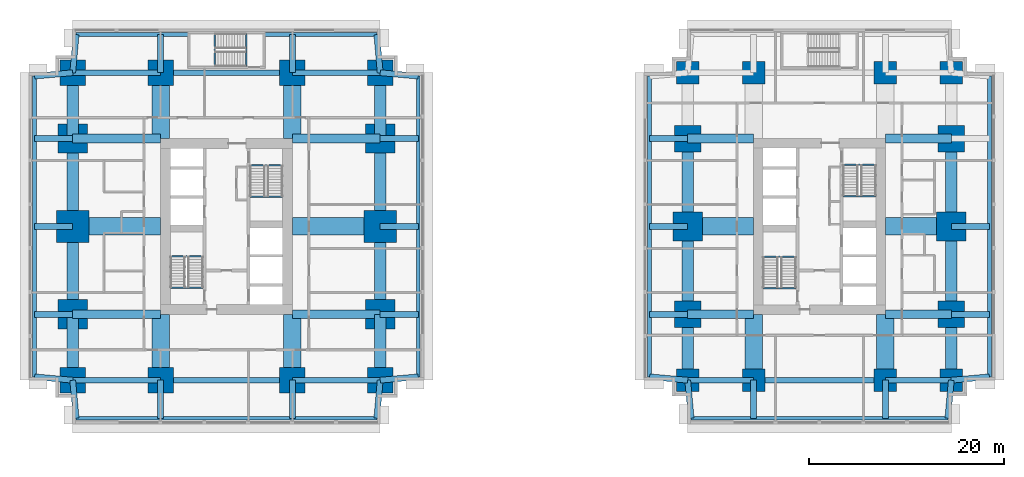
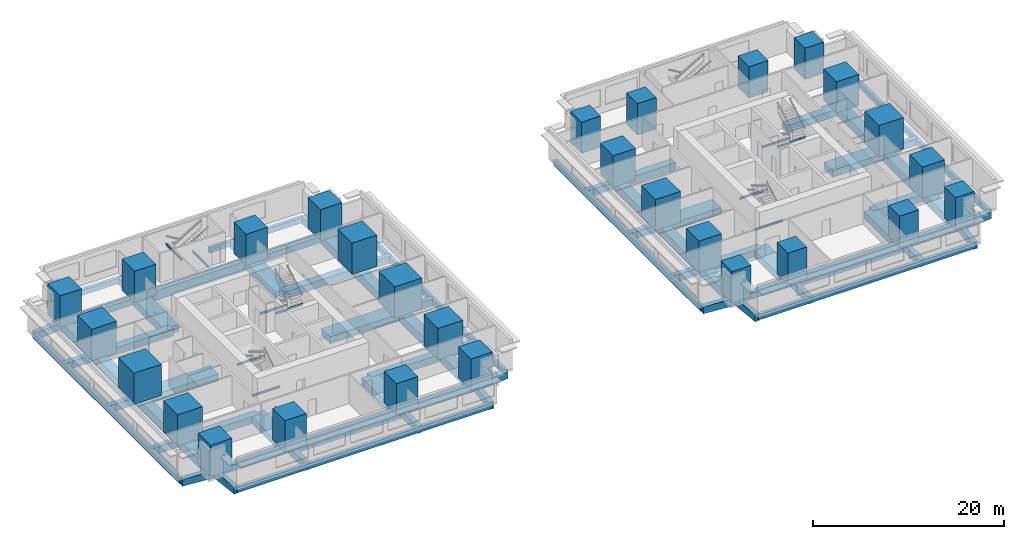
# One storey, part 1 of 11: 88 beams, 28 columns.
"""IFC4 building model written with IfcOpenShell, lengths in metres."""

from ifc_helpers import new_model, si_unit, direction, frame, origin, origin_2d, place, context, subcontext, project, spatial, rectangle, i_section, extrude, material, material_profile, profile_set, type_object, element, save


model = new_model("IFC4")

# Units and contexts
model_context = context("Model", 3, precision=1e-05, world=origin(), true_north=direction((0.0, 1.0)))
body_context = subcontext(model_context, "Body", "Model", "MODEL_VIEW")
ifc_project = project(units=[si_unit("LENGTHUNIT", "METRE"), si_unit("AREAUNIT", "SQUARE_METRE"), si_unit("VOLUMEUNIT", "CUBIC_METRE"), si_unit("PLANEANGLEUNIT", "RADIAN"), si_unit("MASSUNIT", "GRAM", prefix="KILO")], contexts=[model_context])

# Site, building, storey
site_placement = place(None, origin())
site = spatial("IfcSite", under=ifc_project, at=site_placement, CompositionType="ELEMENT")
building_placement = place(site_placement, origin())
building = spatial("IfcBuilding", under=site, at=building_placement, Name="Namib Vertical Campus", CompositionType="ELEMENT")
storey_placement = place(building_placement, frame((0.0, 0.0, 29.0)))
storey = spatial("IfcBuildingStorey", under=building, at=storey_placement, Name="L06", CompositionType="ELEMENT", Elevation=29.0)

# Columns
ifc_material_1 = material(Name="Concrete C60/75", Category="concrete")
ifc_material_profile_1 = material_profile(ifc_material_1, rectangle(XDim=2.300048828125, YDim=2.300048828125, at=origin_2d()))
ifc_profile_set_1 = profile_set([ifc_material_profile_1], Name="Concrete C60/75")
column_type_1 = type_object("IfcColumnType", Name="Column RC 2300x2300", PredefinedType="COLUMN", material=ifc_profile_set_1)
for number, where, z_axis, x_axis, name in (
    (1, (67.5, 4.5, 0.0), (0.0, 0.0, 1.0), (1.0, 0.0, 0.0), "Column C230 L06"),
    (2, (74.25, 4.5, 0.0), (0.0, 0.0, 1.0), (1.0, 0.0, 0.0), "Column C230 L06"),
    (3, (87.75, 4.5, 0.0), (0.0, 0.0, 1.0), (1.0, 0.0, 0.0), "Column C230 L06"),
    (4, (94.5, 4.5, 0.0), (0.0, 0.0, 1.0), (1.0, 0.0, 0.0), "Column C230 L06"),
    (5, (67.5, 36.0, 0.0), (0.0, 0.0, 1.0), (1.0, 0.0, 0.0), "Column C230 L06"),
    (6, (74.25, 36.0, 0.0), (0.0, 0.0, 1.0), (1.0, 0.0, 0.0), "Column C230 L06"),
    (7, (87.75, 36.0, 0.0), (0.0, 0.0, 1.0), (1.0, 0.0, 0.0), "Column C230 L06"),
    (8, (94.5, 36.0, 0.0), (0.0, 0.0, 1.0), (1.0, 0.0, 0.0), "Column C230 L06"),
):
    element("IfcColumn", number, at=place(storey_placement, frame(where, z_axis=z_axis, x_axis=x_axis)), inside=storey, type_object=column_type_1, Name=name, PredefinedType="COLUMN", context=body_context, shape_type="SweptSolid", body=[
        extrude(rectangle(XDim=2.300048828125, YDim=2.300048828125, at=origin_2d()), origin(), (0.0, 0.0, 1.0), 4.0),
    ])
ifc_material_2 = material(Name="Concrete C60/75", Category="concrete")
ifc_material_profile_2 = material_profile(ifc_material_2, rectangle(XDim=2.60009765625, YDim=2.60009765625, at=origin_2d()))
ifc_profile_set_2 = profile_set([ifc_material_profile_2], Name="Concrete C60/75")
column_type_2 = type_object("IfcColumnType", Name="Column RC 2600x2600", PredefinedType="COLUMN", material=ifc_profile_set_2)
for number, where, z_axis, x_axis, name in (
    (9, (4.5, 4.5, 0.0), (0.0, 0.0, 1.0), (1.0, 0.0, 0.0), "Column C260 L06"),
    (10, (13.5, 4.5, 0.0), (0.0, 0.0, 1.0), (1.0, 0.0, 0.0), "Column C260 L06"),
    (11, (27.0, 4.5, 0.0), (0.0, 0.0, 1.0), (1.0, 0.0, 0.0), "Column C260 L06"),
    (12, (36.0, 4.5, 0.0), (0.0, 0.0, 1.0), (1.0, 0.0, 0.0), "Column C260 L06"),
    (13, (4.5, 36.0, 0.0), (0.0, 0.0, 1.0), (1.0, 0.0, 0.0), "Column C260 L06"),
    (14, (13.5, 36.0, 0.0), (0.0, 0.0, 1.0), (1.0, 0.0, 0.0), "Column C260 L06"),
    (15, (27.0, 36.0, 0.0), (0.0, 0.0, 1.0), (1.0, 0.0, 0.0), "Column C260 L06"),
    (16, (36.0, 36.0, 0.0), (0.0, 0.0, 1.0), (1.0, 0.0, 0.0), "Column C260 L06"),
):
    element("IfcColumn", number, at=place(storey_placement, frame(where, z_axis=z_axis, x_axis=x_axis)), inside=storey, type_object=column_type_2, Name=name, PredefinedType="COLUMN", context=body_context, shape_type="SweptSolid", body=[
        extrude(rectangle(XDim=2.60009765625, YDim=2.60009765625, at=origin_2d()), origin(), (0.0, 0.0, 1.0), 4.0),
    ])
ifc_material_3 = material(Name="Concrete C60/75", Category="concrete")
ifc_material_profile_3 = material_profile(ifc_material_3, rectangle(XDim=2.699951171875, YDim=2.699951171875, at=origin_2d()))
ifc_profile_set_3 = profile_set([ifc_material_profile_3], Name="Concrete C60/75")
column_type_3 = type_object("IfcColumnType", Name="Column RC 2700x2700", PredefinedType="COLUMN", material=ifc_profile_set_3)
for number, where, z_axis, x_axis, name in (
    (17, (67.5, 11.25, 0.0), (0.0, 0.0, 1.0), (1.0, 0.0, 0.0), "Column C270 L06"),
    (18, (94.5, 11.25, 0.0), (0.0, 0.0, 1.0), (1.0, 0.0, 0.0), "Column C270 L06"),
    (19, (67.5, 29.25, 0.0), (0.0, 0.0, 1.0), (1.0, 0.0, 0.0), "Column C270 L06"),
    (20, (94.5, 29.25, 0.0), (0.0, 0.0, 1.0), (1.0, 0.0, 0.0), "Column C270 L06"),
):
    element("IfcColumn", number, at=place(storey_placement, frame(where, z_axis=z_axis, x_axis=x_axis)), inside=storey, type_object=column_type_3, Name=name, PredefinedType="COLUMN", context=body_context, shape_type="SweptSolid", body=[
        extrude(rectangle(XDim=2.699951171875, YDim=2.699951171875, at=origin_2d()), origin(), (0.0, 0.0, 1.0), 4.0),
    ])
ifc_material_4 = material(Name="Concrete C60/75", Category="concrete")
ifc_material_profile_4 = material_profile(ifc_material_4, rectangle(XDim=3.0, YDim=3.0, at=origin_2d()))
ifc_profile_set_4 = profile_set([ifc_material_profile_4], Name="Concrete C60/75")
column_type_4 = type_object("IfcColumnType", Name="Column RC 3000x3000", PredefinedType="COLUMN", material=ifc_profile_set_4)
for number, where, z_axis, x_axis, name in (
    (21, (4.5, 11.25, 0.0), (0.0, 0.0, 1.0), (1.0, 0.0, 0.0), "Column C300 L06"),
    (22, (36.0, 11.25, 0.0), (0.0, 0.0, 1.0), (1.0, 0.0, 0.0), "Column C300 L06"),
    (23, (4.5, 29.25, 0.0), (0.0, 0.0, 1.0), (1.0, 0.0, 0.0), "Column C300 L06"),
    (24, (36.0, 29.25, 0.0), (0.0, 0.0, 1.0), (1.0, 0.0, 0.0), "Column C300 L06"),
    (25, (67.5, 20.25, 0.0), (0.0, 0.0, 1.0), (1.0, 0.0, 0.0), "Column C300 L06"),
    (26, (94.5, 20.25, 0.0), (0.0, 0.0, 1.0), (1.0, 0.0, 0.0), "Column C300 L06"),
):
    element("IfcColumn", number, at=place(storey_placement, frame(where, z_axis=z_axis, x_axis=x_axis)), inside=storey, type_object=column_type_4, Name=name, PredefinedType="COLUMN", context=body_context, shape_type="SweptSolid", body=[
        extrude(rectangle(XDim=3.0, YDim=3.0, at=origin_2d()), origin(), (0.0, 0.0, 1.0), 4.0),
    ])
ifc_material_5 = material(Name="Concrete C60/75", Category="concrete")
ifc_material_profile_5 = material_profile(ifc_material_5, rectangle(XDim=3.300048828125, YDim=3.300048828125, at=origin_2d()))
ifc_profile_set_5 = profile_set([ifc_material_profile_5], Name="Concrete C60/75")
column_type_5 = type_object("IfcColumnType", Name="Column RC 3300x3300", PredefinedType="COLUMN", material=ifc_profile_set_5)
for number, where, z_axis, x_axis, name in (
    (27, (4.5, 20.25, 0.0), (0.0, 0.0, 1.0), (1.0, 0.0, 0.0), "Column C330 L06"),
    (28, (36.0, 20.25, 0.0), (0.0, 0.0, 1.0), (1.0, 0.0, 0.0), "Column C330 L06"),
):
    element("IfcColumn", number, at=place(storey_placement, frame(where, z_axis=z_axis, x_axis=x_axis)), inside=storey, type_object=column_type_5, Name=name, PredefinedType="COLUMN", context=body_context, shape_type="SweptSolid", body=[
        extrude(rectangle(XDim=3.300048828125, YDim=3.300048828125, at=origin_2d()), origin(), (0.0, 0.0, 1.0), 4.0),
    ])

# Beams
ifc_material_6 = material(Name="Concrete C40/50", Category="concrete")
ifc_material_profile_6 = material_profile(ifc_material_6, rectangle(XDim=0.60009765625, YDim=0.89990234375, at=origin_2d()))
ifc_profile_set_6 = profile_set([ifc_material_profile_6], Name="Concrete C40/50")
beam_type_1 = type_object("IfcBeamType", Name="Cantilever girder RC 600x900", PredefinedType="BEAM", material=ifc_profile_set_6)
beam_1_placement = place(storey_placement, frame((4.5, 4.5, -0.699951171875), z_axis=(0.089411326146, -0.995994786511, 0.0), x_axis=(0.995994786511, 0.089411326146, 0.0)))
element("IfcBeam", 29, at=beam_1_placement, inside=storey, type_object=beam_type_1, Name="Beam B3 L06", PredefinedType="BEAM", context=body_context, shape_type="SweptSolid", body=[
    extrude(rectangle(XDim=0.60009765625, YDim=0.89990234375, at=origin_2d()), origin(), (0.0, 0.0, 1.0), 3.91552734375),
])
for number, where, z_axis, x_axis, name in (
    (30, (13.5, 4.5, -0.699951171875), (0.0, -1.0, 0.0), (1.0, 0.0, 0.0), "Beam B3 L06"),
    (31, (27.0, 4.5, -0.699951171875), (0.0, -1.0, 0.0), (1.0, 0.0, 0.0), "Beam B3 L06"),
):
    element("IfcBeam", number, at=place(storey_placement, frame(where, z_axis=z_axis, x_axis=x_axis)), inside=storey, type_object=beam_type_1, Name=name, PredefinedType="BEAM", context=body_context, shape_type="SweptSolid", body=[
        extrude(rectangle(XDim=0.60009765625, YDim=0.89990234375, at=origin_2d()), origin(), (0.0, 0.0, 1.0), 3.89990234375),
    ])
for number, where, z_axis, x_axis, name in (
    (32, (36.0, 4.5, -0.699951171875), (-0.089411326146, -0.995994786511, 0.0), (0.995994786511, -0.089411326146, 0.0), "Beam B3 L06"),
    (33, (4.5, 36.0, -0.699951171875), (0.089411326146, 0.995994786511, 0.0), (-0.995994786511, 0.089411326146, 0.0), "Beam B3 L06"),
):
    element("IfcBeam", number, at=place(storey_placement, frame(where, z_axis=z_axis, x_axis=x_axis)), inside=storey, type_object=beam_type_1, Name=name, PredefinedType="BEAM", context=body_context, shape_type="SweptSolid", body=[
        extrude(rectangle(XDim=0.60009765625, YDim=0.89990234375, at=origin_2d()), origin(), (0.0, 0.0, 1.0), 3.91552734375),
    ])
for number, where, z_axis, x_axis, name in (
    (34, (13.5, 36.0, -0.699951171875), (0.0, 1.0, 0.0), (-1.0, 0.0, 0.0), "Beam B3 L06"),
    (35, (27.0, 36.0, -0.699951171875), (0.0, 1.0, 0.0), (-1.0, 0.0, 0.0), "Beam B3 L06"),
):
    element("IfcBeam", number, at=place(storey_placement, frame(where, z_axis=z_axis, x_axis=x_axis)), inside=storey, type_object=beam_type_1, Name=name, PredefinedType="BEAM", context=body_context, shape_type="SweptSolid", body=[
        extrude(rectangle(XDim=0.60009765625, YDim=0.89990234375, at=origin_2d()), origin(), (0.0, 0.0, 1.0), 3.89990234375),
    ])
for number, where, z_axis, x_axis, name in (
    (36, (36.0, 36.0, -0.699951171875), (-0.089411326146, 0.995994786511, 0.0), (-0.995994786511, -0.089411326146, 0.0), "Beam B3 L06"),
    (37, (4.5, 4.5, -0.699951171875), (-0.995994786511, 0.089411326146, 0.0), (-0.089411326146, -0.995994786511, 0.0), "Beam B3 L06"),
):
    element("IfcBeam", number, at=place(storey_placement, frame(where, z_axis=z_axis, x_axis=x_axis)), inside=storey, type_object=beam_type_1, Name=name, PredefinedType="BEAM", context=body_context, shape_type="SweptSolid", body=[
        extrude(rectangle(XDim=0.60009765625, YDim=0.89990234375, at=origin_2d()), origin(), (0.0, 0.0, 1.0), 3.91552734375),
    ])
for number, where, z_axis, x_axis, name in (
    (38, (4.5, 11.25, -0.699951171875), (-1.0, 0.0, 0.0), (0.0, -1.0, 0.0), "Beam B3 L06"),
    (39, (4.5, 20.25, -0.699951171875), (-1.0, 0.0, 0.0), (0.0, -1.0, 0.0), "Beam B3 L06"),
    (40, (4.5, 29.25, -0.699951171875), (-1.0, 0.0, 0.0), (0.0, -1.0, 0.0), "Beam B3 L06"),
):
    element("IfcBeam", number, at=place(storey_placement, frame(where, z_axis=z_axis, x_axis=x_axis)), inside=storey, type_object=beam_type_1, Name=name, PredefinedType="BEAM", context=body_context, shape_type="SweptSolid", body=[
        extrude(rectangle(XDim=0.60009765625, YDim=0.89990234375, at=origin_2d()), origin(), (0.0, 0.0, 1.0), 3.89990234375),
    ])
for number, where, z_axis, x_axis, name in (
    (41, (4.5, 36.0, -0.699951171875), (-0.995994786511, -0.089411326146, 0.0), (0.089411326146, -0.995994786511, 0.0), "Beam B3 L06"),
    (42, (36.0, 4.5, -0.699951171875), (0.995994786511, 0.089411326146, 0.0), (-0.089411326146, 0.995994786511, 0.0), "Beam B3 L06"),
):
    element("IfcBeam", number, at=place(storey_placement, frame(where, z_axis=z_axis, x_axis=x_axis)), inside=storey, type_object=beam_type_1, Name=name, PredefinedType="BEAM", context=body_context, shape_type="SweptSolid", body=[
        extrude(rectangle(XDim=0.60009765625, YDim=0.89990234375, at=origin_2d()), origin(), (0.0, 0.0, 1.0), 3.91552734375),
    ])
for number, where, z_axis, x_axis, name in (
    (43, (36.0, 11.25, -0.699951171875), (1.0, 0.0, 0.0), (0.0, 1.0, 0.0), "Beam B3 L06"),
    (44, (36.0, 20.25, -0.699951171875), (1.0, 0.0, 0.0), (0.0, 1.0, 0.0), "Beam B3 L06"),
    (45, (36.0, 29.25, -0.699951171875), (1.0, 0.0, 0.0), (0.0, 1.0, 0.0), "Beam B3 L06"),
):
    element("IfcBeam", number, at=place(storey_placement, frame(where, z_axis=z_axis, x_axis=x_axis)), inside=storey, type_object=beam_type_1, Name=name, PredefinedType="BEAM", context=body_context, shape_type="SweptSolid", body=[
        extrude(rectangle(XDim=0.60009765625, YDim=0.89990234375, at=origin_2d()), origin(), (0.0, 0.0, 1.0), 3.89990234375),
    ])
for number, where, z_axis, x_axis, name in (
    (46, (36.0, 36.0, -0.699951171875), (0.995994786511, -0.089411326146, 0.0), (0.089411326146, 0.995994786511, 0.0), "Beam B3 L06"),
    (47, (67.5, 4.5, -0.699951171875), (0.089411326146, -0.995994786511, 0.0), (0.995994786511, 0.089411326146, 0.0), "Beam B3 L06"),
):
    element("IfcBeam", number, at=place(storey_placement, frame(where, z_axis=z_axis, x_axis=x_axis)), inside=storey, type_object=beam_type_1, Name=name, PredefinedType="BEAM", context=body_context, shape_type="SweptSolid", body=[
        extrude(rectangle(XDim=0.60009765625, YDim=0.89990234375, at=origin_2d()), origin(), (0.0, 0.0, 1.0), 3.91552734375),
    ])
for number, where, z_axis, x_axis, name in (
    (48, (74.25, 4.5, -0.699951171875), (0.0, -1.0, 0.0), (1.0, 0.0, 0.0), "Beam B3 L06"),
    (49, (87.75, 4.5, -0.699951171875), (0.0, -1.0, 0.0), (1.0, 0.0, 0.0), "Beam B3 L06"),
):
    element("IfcBeam", number, at=place(storey_placement, frame(where, z_axis=z_axis, x_axis=x_axis)), inside=storey, type_object=beam_type_1, Name=name, PredefinedType="BEAM", context=body_context, shape_type="SweptSolid", body=[
        extrude(rectangle(XDim=0.60009765625, YDim=0.89990234375, at=origin_2d()), origin(), (0.0, 0.0, 1.0), 3.89990234375),
    ])
for number, where, z_axis, x_axis, name in (
    (50, (94.5, 4.5, -0.699951171875), (-0.089411326146, -0.995994786511, 0.0), (0.995994786511, -0.089411326146, 0.0), "Beam B3 L06"),
    (51, (67.5, 4.5, -0.699951171875), (-0.995994786511, 0.089411326146, 0.0), (-0.089411326146, -0.995994786511, 0.0), "Beam B3 L06"),
):
    element("IfcBeam", number, at=place(storey_placement, frame(where, z_axis=z_axis, x_axis=x_axis)), inside=storey, type_object=beam_type_1, Name=name, PredefinedType="BEAM", context=body_context, shape_type="SweptSolid", body=[
        extrude(rectangle(XDim=0.60009765625, YDim=0.89990234375, at=origin_2d()), origin(), (0.0, 0.0, 1.0), 3.91552734375),
    ])
for number, where, z_axis, x_axis, name in (
    (52, (67.5, 11.25, -0.699951171875), (-1.0, 0.0, 0.0), (0.0, -1.0, 0.0), "Beam B3 L06"),
    (53, (67.5, 20.25, -0.699951171875), (-1.0, 0.0, 0.0), (0.0, -1.0, 0.0), "Beam B3 L06"),
    (54, (67.5, 29.25, -0.699951171875), (-1.0, 0.0, 0.0), (0.0, -1.0, 0.0), "Beam B3 L06"),
):
    element("IfcBeam", number, at=place(storey_placement, frame(where, z_axis=z_axis, x_axis=x_axis)), inside=storey, type_object=beam_type_1, Name=name, PredefinedType="BEAM", context=body_context, shape_type="SweptSolid", body=[
        extrude(rectangle(XDim=0.60009765625, YDim=0.89990234375, at=origin_2d()), origin(), (0.0, 0.0, 1.0), 3.89990234375),
    ])
beam_2_placement = place(storey_placement, frame((94.5, 4.5, -0.699951171875), z_axis=(0.995994786511, 0.089411326146, 0.0), x_axis=(-0.089411326146, 0.995994786511, 0.0)))
element("IfcBeam", 55, at=beam_2_placement, inside=storey, type_object=beam_type_1, Name="Beam B3 L06", PredefinedType="BEAM", context=body_context, shape_type="SweptSolid", body=[
    extrude(rectangle(XDim=0.60009765625, YDim=0.89990234375, at=origin_2d()), origin(), (0.0, 0.0, 1.0), 3.91552734375),
])
for number, where, z_axis, x_axis, name in (
    (56, (94.5, 11.25, -0.699951171875), (1.0, 0.0, 0.0), (0.0, 1.0, 0.0), "Beam B3 L06"),
    (57, (94.5, 20.25, -0.699951171875), (1.0, 0.0, 0.0), (0.0, 1.0, 0.0), "Beam B3 L06"),
):
    element("IfcBeam", number, at=place(storey_placement, frame(where, z_axis=z_axis, x_axis=x_axis)), inside=storey, type_object=beam_type_1, Name=name, PredefinedType="BEAM", context=body_context, shape_type="SweptSolid", body=[
        extrude(rectangle(XDim=0.60009765625, YDim=0.89990234375, at=origin_2d()), origin(), (0.0, 0.0, 1.0), 3.89990234375),
    ])
ifc_material_7 = material(Name="Concrete C40/50", Category="concrete")
ifc_material_profile_7 = material_profile(ifc_material_7, rectangle(XDim=0.39990234375, YDim=0.699951171875, at=origin_2d()))
ifc_profile_set_7 = profile_set([ifc_material_profile_7], Name="Concrete C40/50")
beam_type_2 = type_object("IfcBeamType", Name="Edge beam RC 400x700", PredefinedType="SPANDREL", material=ifc_profile_set_7)
beam_3_placement = place(storey_placement, frame((4.85009765625, 0.60009765625, -0.60009765625), z_axis=(1.0, 0.0, 0.0), x_axis=(0.0, 1.0, 0.0)))
element("IfcBeam", 58, at=beam_3_placement, inside=storey, type_object=beam_type_2, Name="Beam B4 L06", PredefinedType="SPANDREL", context=body_context, shape_type="SweptSolid", body=[
    extrude(rectangle(XDim=0.39990234375, YDim=0.699951171875, at=origin_2d()), origin(), (0.0, 0.0, 1.0), 30.7998046875),
])
for number, where, z_axis, x_axis, name in (
    (59, (4.85009765625, 39.89990234375, -0.60009765625), (1.0, 0.0, 0.0), (0.0, 1.0, 0.0), "Beam B4 L06"),
    (60, (24.199951171875, 39.89990234375, -0.60009765625), (1.0, 0.0, 0.0), (0.0, 1.0, 0.0), "Beam B4 L06"),
):
    element("IfcBeam", number, at=place(storey_placement, frame(where, z_axis=z_axis, x_axis=x_axis)), inside=storey, type_object=beam_type_2, Name=name, PredefinedType="SPANDREL", context=body_context, shape_type="SweptSolid", body=[
        extrude(rectangle(XDim=0.39990234375, YDim=0.699951171875, at=origin_2d()), origin(), (0.0, 0.0, 1.0), 11.449951171875),
    ])
for number, where, z_axis, x_axis, name in (
    (61, (0.60009765625, 4.85009765625, -0.60009765625), (0.0, 1.0, 0.0), (-1.0, 0.0, 0.0), "Beam B4 L06"),
    (62, (39.89990234375, 4.85009765625, -0.60009765625), (0.0, 1.0, 0.0), (-1.0, 0.0, 0.0), "Beam B4 L06"),
):
    element("IfcBeam", number, at=place(storey_placement, frame(where, z_axis=z_axis, x_axis=x_axis)), inside=storey, type_object=beam_type_2, Name=name, PredefinedType="SPANDREL", context=body_context, shape_type="SweptSolid", body=[
        extrude(rectangle(XDim=0.39990234375, YDim=0.699951171875, at=origin_2d()), origin(), (0.0, 0.0, 1.0), 30.7998046875),
    ])
beam_4_placement = place(storey_placement, frame((67.85009765625, 0.60009765625, -0.60009765625), z_axis=(1.0, 0.0, 0.0), x_axis=(0.0, 1.0, 0.0)))
element("IfcBeam", 63, at=beam_4_placement, inside=storey, type_object=beam_type_2, Name="Beam B4 L06", PredefinedType="SPANDREL", context=body_context, shape_type="SweptSolid", body=[
    extrude(rectangle(XDim=0.39990234375, YDim=0.699951171875, at=origin_2d()), origin(), (0.0, 0.0, 1.0), 26.2998046875),
])
for number, where, z_axis, x_axis, name in (
    (64, (63.60009765625, 4.85009765625, -0.60009765625), (0.0, 1.0, 0.0), (-1.0, 0.0, 0.0), "Beam B4 L06"),
    (65, (98.39990234375, 4.85009765625, -0.60009765625), (0.0, 1.0, 0.0), (-1.0, 0.0, 0.0), "Beam B4 L06"),
):
    element("IfcBeam", number, at=place(storey_placement, frame(where, z_axis=z_axis, x_axis=x_axis)), inside=storey, type_object=beam_type_2, Name=name, PredefinedType="SPANDREL", context=body_context, shape_type="SweptSolid", body=[
        extrude(rectangle(XDim=0.39990234375, YDim=0.699951171875, at=origin_2d()), origin(), (0.0, 0.0, 1.0), 30.7998046875),
    ])
ifc_material_8 = material(Name="Concrete C40/50", Category="concrete")
ifc_material_profile_8 = material_profile(ifc_material_8, rectangle(XDim=0.89990234375, YDim=0.89990234375, at=origin_2d()))
ifc_profile_set_8 = profile_set([ifc_material_profile_8], Name="Concrete C40/50")
beam_type_3 = type_object("IfcBeamType", Name="Face girder RC 900x900", PredefinedType="BEAM", material=ifc_profile_set_8)
for number, where, z_axis, x_axis, name in (
    (66, (4.5, 11.25, -0.699951171875), (1.0, 0.0, 0.0), (0.0, 1.0, 0.0), "Beam B10 L06"),
    (67, (36.0, 11.25, -0.699951171875), (-1.0, 0.0, 0.0), (0.0, -1.0, 0.0), "Beam B10 L06"),
    (68, (4.5, 29.25, -0.699951171875), (1.0, 0.0, 0.0), (0.0, 1.0, 0.0), "Beam B10 L06"),
    (69, (36.0, 29.25, -0.699951171875), (-1.0, 0.0, 0.0), (0.0, -1.0, 0.0), "Beam B10 L06"),
):
    element("IfcBeam", number, at=place(storey_placement, frame(where, z_axis=z_axis, x_axis=x_axis)), inside=storey, type_object=beam_type_3, Name=name, PredefinedType="BEAM", context=body_context, shape_type="SweptSolid", body=[
        extrude(rectangle(XDim=0.89990234375, YDim=0.89990234375, at=origin_2d()), origin(), (0.0, 0.0, 1.0), 9.0),
    ])
for number, where, z_axis, x_axis, name in (
    (70, (67.5, 11.25, -0.699951171875), (1.0, 0.0, 0.0), (0.0, 1.0, 0.0), "Beam B10 L06"),
    (71, (94.5, 11.25, -0.699951171875), (-1.0, 0.0, 0.0), (0.0, -1.0, 0.0), "Beam B10 L06"),
    (72, (67.5, 29.25, -0.699951171875), (1.0, 0.0, 0.0), (0.0, 1.0, 0.0), "Beam B10 L06"),
    (73, (94.5, 29.25, -0.699951171875), (-1.0, 0.0, 0.0), (0.0, -1.0, 0.0), "Beam B10 L06"),
):
    element("IfcBeam", number, at=place(storey_placement, frame(where, z_axis=z_axis, x_axis=x_axis)), inside=storey, type_object=beam_type_3, Name=name, PredefinedType="BEAM", context=body_context, shape_type="SweptSolid", body=[
        extrude(rectangle(XDim=0.89990234375, YDim=0.89990234375, at=origin_2d()), origin(), (0.0, 0.0, 1.0), 6.75),
    ])
ifc_material_9 = material(Name="Concrete C40/50", Category="concrete")
ifc_material_profile_9 = material_profile(ifc_material_9, rectangle(XDim=1.199951171875, YDim=1.10009765625, at=origin_2d()))
ifc_profile_set_9 = profile_set([ifc_material_profile_9], Name="Concrete C40/50")
beam_type_4 = type_object("IfcBeamType", Name="Face ring beam RC 1200x1100", PredefinedType="BEAM", material=ifc_profile_set_9)
beam_5_placement = place(storey_placement, frame((4.5, 4.5, -0.800048828125), z_axis=(0.0, 1.0, 0.0), x_axis=(-1.0, 0.0, 0.0)))
element("IfcBeam", 74, at=beam_5_placement, inside=storey, type_object=beam_type_4, Name="Beam B11 L06", PredefinedType="BEAM", context=body_context, shape_type="SweptSolid", body=[
    extrude(rectangle(XDim=1.199951171875, YDim=1.10009765625, at=origin_2d()), origin(), (0.0, 0.0, 1.0), 6.75),
])
for number, where, z_axis, x_axis, name in (
    (75, (4.5, 11.25, -0.800048828125), (0.0, 1.0, 0.0), (-1.0, 0.0, 0.0), "Beam B11 L06"),
    (76, (4.5, 20.25, -0.800048828125), (0.0, 1.0, 0.0), (-1.0, 0.0, 0.0), "Beam B11 L06"),
):
    element("IfcBeam", number, at=place(storey_placement, frame(where, z_axis=z_axis, x_axis=x_axis)), inside=storey, type_object=beam_type_4, Name=name, PredefinedType="BEAM", context=body_context, shape_type="SweptSolid", body=[
        extrude(rectangle(XDim=1.199951171875, YDim=1.10009765625, at=origin_2d()), origin(), (0.0, 0.0, 1.0), 9.0),
    ])
for number, where, z_axis, x_axis, name in (
    (77, (4.5, 29.25, -0.800048828125), (0.0, 1.0, 0.0), (-1.0, 0.0, 0.0), "Beam B11 L06"),
    (78, (36.0, 4.5, -0.800048828125), (0.0, 1.0, 0.0), (-1.0, 0.0, 0.0), "Beam B11 L06"),
):
    element("IfcBeam", number, at=place(storey_placement, frame(where, z_axis=z_axis, x_axis=x_axis)), inside=storey, type_object=beam_type_4, Name=name, PredefinedType="BEAM", context=body_context, shape_type="SweptSolid", body=[
        extrude(rectangle(XDim=1.199951171875, YDim=1.10009765625, at=origin_2d()), origin(), (0.0, 0.0, 1.0), 6.75),
    ])
for number, where, z_axis, x_axis, name in (
    (79, (36.0, 11.25, -0.800048828125), (0.0, 1.0, 0.0), (-1.0, 0.0, 0.0), "Beam B11 L06"),
    (80, (36.0, 20.25, -0.800048828125), (0.0, 1.0, 0.0), (-1.0, 0.0, 0.0), "Beam B11 L06"),
):
    element("IfcBeam", number, at=place(storey_placement, frame(where, z_axis=z_axis, x_axis=x_axis)), inside=storey, type_object=beam_type_4, Name=name, PredefinedType="BEAM", context=body_context, shape_type="SweptSolid", body=[
        extrude(rectangle(XDim=1.199951171875, YDim=1.10009765625, at=origin_2d()), origin(), (0.0, 0.0, 1.0), 9.0),
    ])
for number, where, z_axis, x_axis, name in (
    (81, (36.0, 29.25, -0.800048828125), (0.0, 1.0, 0.0), (-1.0, 0.0, 0.0), "Beam B11 L06"),
    (82, (67.5, 4.5, -0.800048828125), (0.0, 1.0, 0.0), (-1.0, 0.0, 0.0), "Beam B11 L06"),
):
    element("IfcBeam", number, at=place(storey_placement, frame(where, z_axis=z_axis, x_axis=x_axis)), inside=storey, type_object=beam_type_4, Name=name, PredefinedType="BEAM", context=body_context, shape_type="SweptSolid", body=[
        extrude(rectangle(XDim=1.199951171875, YDim=1.10009765625, at=origin_2d()), origin(), (0.0, 0.0, 1.0), 6.75),
    ])
for number, where, z_axis, x_axis, name in (
    (83, (67.5, 11.25, -0.800048828125), (0.0, 1.0, 0.0), (-1.0, 0.0, 0.0), "Beam B11 L06"),
    (84, (67.5, 20.25, -0.800048828125), (0.0, 1.0, 0.0), (-1.0, 0.0, 0.0), "Beam B11 L06"),
):
    element("IfcBeam", number, at=place(storey_placement, frame(where, z_axis=z_axis, x_axis=x_axis)), inside=storey, type_object=beam_type_4, Name=name, PredefinedType="BEAM", context=body_context, shape_type="SweptSolid", body=[
        extrude(rectangle(XDim=1.199951171875, YDim=1.10009765625, at=origin_2d()), origin(), (0.0, 0.0, 1.0), 9.0),
    ])
beam_6_placement = place(storey_placement, frame((94.5, 4.5, -0.800048828125), z_axis=(0.0, 1.0, 0.0), x_axis=(-1.0, 0.0, 0.0)))
element("IfcBeam", 85, at=beam_6_placement, inside=storey, type_object=beam_type_4, Name="Beam B11 L06", PredefinedType="BEAM", context=body_context, shape_type="SweptSolid", body=[
    extrude(rectangle(XDim=1.199951171875, YDim=1.10009765625, at=origin_2d()), origin(), (0.0, 0.0, 1.0), 6.75),
])
for number, where, z_axis, x_axis, name in (
    (86, (94.5, 11.25, -0.800048828125), (0.0, 1.0, 0.0), (-1.0, 0.0, 0.0), "Beam B11 L06"),
    (87, (94.5, 20.25, -0.800048828125), (0.0, 1.0, 0.0), (-1.0, 0.0, 0.0), "Beam B11 L06"),
):
    element("IfcBeam", number, at=place(storey_placement, frame(where, z_axis=z_axis, x_axis=x_axis)), inside=storey, type_object=beam_type_4, Name=name, PredefinedType="BEAM", context=body_context, shape_type="SweptSolid", body=[
        extrude(rectangle(XDim=1.199951171875, YDim=1.10009765625, at=origin_2d()), origin(), (0.0, 0.0, 1.0), 9.0),
    ])
ifc_material_10 = material(Name="Steel S355JR", Category="steel")
ifc_material_profile_10 = material_profile(ifc_material_10, i_section(OverallWidth=0.14599609375, OverallDepth=0.25146484375, WebThickness=0.006103515625, FlangeThickness=0.008544921875, FilletRadius=0.007568359375, at=origin_2d()))
ifc_profile_set_10 = profile_set([ifc_material_profile_10], Name="Steel S355JR")
beam_type_5 = type_object("IfcBeamType", Name="Landing trimmer UB 254x146x31", PredefinedType="BEAM", material=ifc_profile_set_10)
for number, where, z_axis, x_axis, name in (
    (88, (14.5, 13.97705078125, -0.125732421875), (1.0, 0.0, 0.0), (0.0, 1.0, 0.0), "Landing trimmer LT1 A-S1 L06 1"),
    (89, (14.5, 17.203125, 1.874267578125), (1.0, 0.0, 0.0), (0.0, 1.0, 0.0), "Landing trimmer LT1 A-S1 L06 2"),
    (90, (22.64990234375, 26.52294921875, -0.125732421875), (1.0, 0.0, 0.0), (0.0, 1.0, 0.0), "Landing trimmer LT1 A-S2 L06 1"),
    (91, (22.64990234375, 23.296875, 1.874267578125), (1.0, 0.0, 0.0), (0.0, 1.0, 0.0), "Landing trimmer LT1 A-S2 L06 2"),
):
    element("IfcBeam", number, at=place(storey_placement, frame(where, z_axis=z_axis, x_axis=x_axis)), inside=storey, type_object=beam_type_5, Name=name, PredefinedType="BEAM", context=body_context, shape_type="SweptSolid", body=[
        extrude(i_section(OverallWidth=0.14599609375, OverallDepth=0.25146484375, WebThickness=0.006103515625, FlangeThickness=0.008544921875, FilletRadius=0.007568359375, at=origin_2d()), origin(), (0.0, 0.0, 1.0), 3.35009765625),
    ])
for number, where, z_axis, x_axis, name in (
    (92, (75.199951171875, 13.927001953125, -0.125732421875), (1.0, 0.0, 0.0), (0.0, 1.0, 0.0), "Landing trimmer LT1 B-S1 L06 1"),
    (93, (75.199951171875, 17.153076171875, 1.874267578125), (1.0, 0.0, 0.0), (0.0, 1.0, 0.0), "Landing trimmer LT1 B-S1 L06 2"),
    (94, (83.39990234375, 26.572998046875, -0.125732421875), (1.0, 0.0, 0.0), (0.0, 1.0, 0.0), "Landing trimmer LT1 B-S2 L06 1"),
    (95, (83.39990234375, 23.346923828125, 1.874267578125), (1.0, 0.0, 0.0), (0.0, 1.0, 0.0), "Landing trimmer LT1 B-S2 L06 2"),
):
    element("IfcBeam", number, at=place(storey_placement, frame(where, z_axis=z_axis, x_axis=x_axis)), inside=storey, type_object=beam_type_5, Name=name, PredefinedType="BEAM", context=body_context, shape_type="SweptSolid", body=[
        extrude(i_section(OverallWidth=0.14599609375, OverallDepth=0.25146484375, WebThickness=0.006103515625, FlangeThickness=0.008544921875, FilletRadius=0.007568359375, at=origin_2d()), origin(), (0.0, 0.0, 1.0), 3.400146484375),
    ])
for number, where, z_axis, x_axis, name in (
    (96, (22.27294921875, 36.64990234375, -0.125732421875), (0.0, 1.0, 0.0), (-1.0, 0.0, 0.0), "Landing trimmer LT1 A-S3 L06 1"),
    (97, (19.046875, 36.64990234375, 1.874267578125), (0.0, 1.0, 0.0), (-1.0, 0.0, 0.0), "Landing trimmer LT1 A-S3 L06 2"),
):
    element("IfcBeam", number, at=place(storey_placement, frame(where, z_axis=z_axis, x_axis=x_axis)), inside=storey, type_object=beam_type_5, Name=name, PredefinedType="BEAM", context=body_context, shape_type="SweptSolid", body=[
        extrude(i_section(OverallWidth=0.14599609375, OverallDepth=0.25146484375, WebThickness=0.006103515625, FlangeThickness=0.008544921875, FilletRadius=0.007568359375, at=origin_2d()), origin(), (0.0, 0.0, 1.0), 3.35009765625),
    ])
ifc_material_11 = material(Name="Concrete C40/50", Category="concrete")
ifc_material_profile_11 = material_profile(ifc_material_11, rectangle(XDim=0.60009765625, YDim=1.199951171875, at=origin_2d()))
ifc_profile_set_11 = profile_set([ifc_material_profile_11], Name="Concrete C40/50")
beam_type_6 = type_object("IfcBeamType", Name="Long-span ring beam RC 600x1200", PredefinedType="BEAM", material=ifc_profile_set_11)
for number, where, z_axis, x_axis, name in (
    (98, (13.5, 4.5, -0.85009765625), (1.0, 0.0, 0.0), (0.0, 1.0, 0.0), "Beam B9 L06"),
    (99, (13.5, 36.0, -0.85009765625), (1.0, 0.0, 0.0), (0.0, 1.0, 0.0), "Beam B9 L06"),
    (100, (74.25, 4.5, -0.85009765625), (1.0, 0.0, 0.0), (0.0, 1.0, 0.0), "Beam B9 L06"),
):
    element("IfcBeam", number, at=place(storey_placement, frame(where, z_axis=z_axis, x_axis=x_axis)), inside=storey, type_object=beam_type_6, Name=name, PredefinedType="BEAM", context=body_context, shape_type="SweptSolid", body=[
        extrude(rectangle(XDim=0.60009765625, YDim=1.199951171875, at=origin_2d()), origin(), (0.0, 0.0, 1.0), 13.5),
    ])
ifc_material_12 = material(Name="Concrete C40/50", Category="concrete")
ifc_material_profile_12 = material_profile(ifc_material_12, rectangle(XDim=1.800048828125, YDim=0.89990234375, at=origin_2d()))
ifc_profile_set_12 = profile_set([ifc_material_profile_12], Name="Concrete C40/50")
beam_type_7 = type_object("IfcBeamType", Name="Outrigger line girder RC 1800x900", PredefinedType="BEAM", material=ifc_profile_set_12)
for number, where, z_axis, x_axis, name in (
    (101, (13.5, 4.5, -0.699951171875), (0.0, 1.0, 0.0), (-1.0, 0.0, 0.0), "Beam B12 L06"),
    (102, (13.5, 36.0, -0.699951171875), (0.0, -1.0, 0.0), (1.0, 0.0, 0.0), "Beam B12 L06"),
    (103, (27.0, 4.5, -0.699951171875), (0.0, 1.0, 0.0), (-1.0, 0.0, 0.0), "Beam B12 L06"),
    (104, (27.0, 36.0, -0.699951171875), (0.0, -1.0, 0.0), (1.0, 0.0, 0.0), "Beam B12 L06"),
):
    element("IfcBeam", number, at=place(storey_placement, frame(where, z_axis=z_axis, x_axis=x_axis)), inside=storey, type_object=beam_type_7, Name=name, PredefinedType="BEAM", context=body_context, shape_type="SweptSolid", body=[
        extrude(rectangle(XDim=1.800048828125, YDim=0.89990234375, at=origin_2d()), origin(), (0.0, 0.0, 1.0), 6.75),
    ])
for number, where, z_axis, x_axis, name in (
    (105, (4.5, 20.25, -0.699951171875), (1.0, 0.0, 0.0), (0.0, 1.0, 0.0), "Beam B12 L06"),
    (106, (36.0, 20.25, -0.699951171875), (-1.0, 0.0, 0.0), (0.0, -1.0, 0.0), "Beam B12 L06"),
):
    element("IfcBeam", number, at=place(storey_placement, frame(where, z_axis=z_axis, x_axis=x_axis)), inside=storey, type_object=beam_type_7, Name=name, PredefinedType="BEAM", context=body_context, shape_type="SweptSolid", body=[
        extrude(rectangle(XDim=1.800048828125, YDim=0.89990234375, at=origin_2d()), origin(), (0.0, 0.0, 1.0), 9.0),
    ])
for number, where, z_axis, x_axis, name in (
    (107, (74.25, 4.5, -0.699951171875), (0.0, 1.0, 0.0), (-1.0, 0.0, 0.0), "Beam B12 L06"),
    (108, (87.75, 4.5, -0.699951171875), (0.0, 1.0, 0.0), (-1.0, 0.0, 0.0), "Beam B12 L06"),
    (109, (67.5, 20.25, -0.699951171875), (1.0, 0.0, 0.0), (0.0, 1.0, 0.0), "Beam B12 L06"),
    (110, (94.5, 20.25, -0.699951171875), (-1.0, 0.0, 0.0), (0.0, -1.0, 0.0), "Beam B12 L06"),
):
    element("IfcBeam", number, at=place(storey_placement, frame(where, z_axis=z_axis, x_axis=x_axis)), inside=storey, type_object=beam_type_7, Name=name, PredefinedType="BEAM", context=body_context, shape_type="SweptSolid", body=[
        extrude(rectangle(XDim=1.800048828125, YDim=0.89990234375, at=origin_2d()), origin(), (0.0, 0.0, 1.0), 6.75),
    ])
ifc_material_13 = material(Name="Concrete C40/50", Category="concrete")
ifc_material_profile_13 = material_profile(ifc_material_13, rectangle(XDim=0.60009765625, YDim=0.800048828125, at=origin_2d()))
ifc_profile_set_13 = profile_set([ifc_material_profile_13], Name="Concrete C40/50")
beam_type_8 = type_object("IfcBeamType", Name="Ring beam RC 600x800", PredefinedType="BEAM", material=ifc_profile_set_13)
for number, where, z_axis, x_axis, name in (
    (111, (4.5, 4.5, -0.64990234375), (1.0, 0.0, 0.0), (0.0, 1.0, 0.0), "Beam B1 L06"),
    (112, (27.0, 4.5, -0.64990234375), (1.0, 0.0, 0.0), (0.0, 1.0, 0.0), "Beam B1 L06"),
    (113, (4.5, 36.0, -0.64990234375), (1.0, 0.0, 0.0), (0.0, 1.0, 0.0), "Beam B1 L06"),
    (114, (27.0, 36.0, -0.64990234375), (1.0, 0.0, 0.0), (0.0, 1.0, 0.0), "Beam B1 L06"),
):
    element("IfcBeam", number, at=place(storey_placement, frame(where, z_axis=z_axis, x_axis=x_axis)), inside=storey, type_object=beam_type_8, Name=name, PredefinedType="BEAM", context=body_context, shape_type="SweptSolid", body=[
        extrude(rectangle(XDim=0.60009765625, YDim=0.800048828125, at=origin_2d()), origin(), (0.0, 0.0, 1.0), 9.0),
    ])
for number, where, z_axis, x_axis, name in (
    (115, (67.5, 4.5, -0.64990234375), (1.0, 0.0, 0.0), (0.0, 1.0, 0.0), "Beam B1 L06"),
    (116, (87.75, 4.5, -0.64990234375), (1.0, 0.0, 0.0), (0.0, 1.0, 0.0), "Beam B1 L06"),
):
    element("IfcBeam", number, at=place(storey_placement, frame(where, z_axis=z_axis, x_axis=x_axis)), inside=storey, type_object=beam_type_8, Name=name, PredefinedType="BEAM", context=body_context, shape_type="SweptSolid", body=[
        extrude(rectangle(XDim=0.60009765625, YDim=0.800048828125, at=origin_2d()), origin(), (0.0, 0.0, 1.0), 6.75),
    ])

save(model, "model.ifc")
